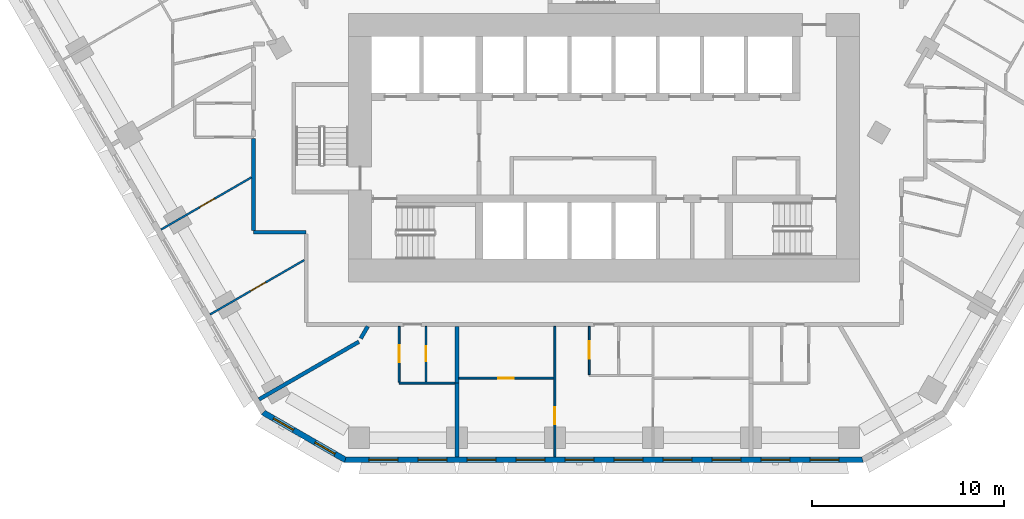
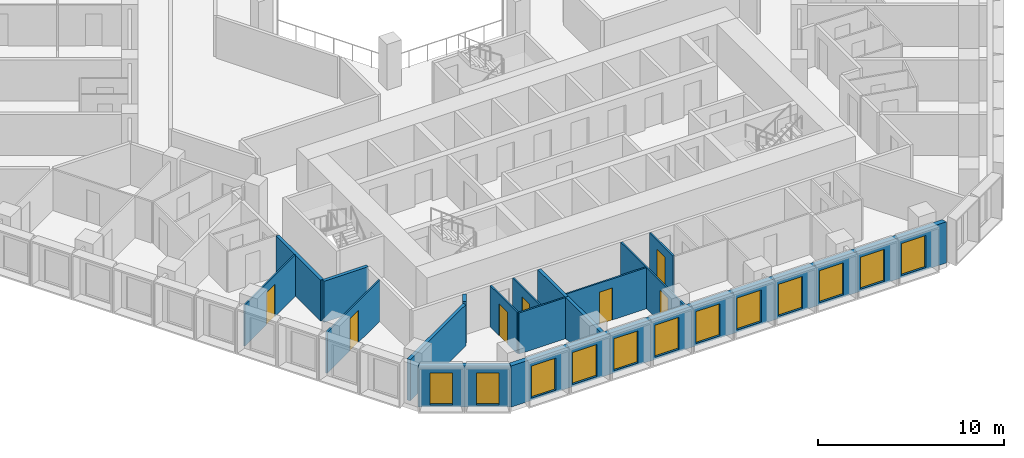
# One storey, part 3 of 21: 16 walls, 12 windows, 7 doors, 19 openings.
"""IFC4 building model written with IfcOpenShell, lengths in metres."""

from ifc_helpers import new_model, si_unit, direction, frame, frame_2d, origin, place, context, subcontext, project, spatial, polyline, rectangle, outline, extrude, material, layer, layer_set, type_object, element, fill, save


model = new_model("IFC4")

# Units and contexts
model_context = context("Model", 3, precision=1e-05, world=origin(), true_north=direction((0.0, 1.0)))
body_context = subcontext(model_context, "Body", "Model", "MODEL_VIEW")
ifc_project = project(units=[si_unit("LENGTHUNIT", "METRE"), si_unit("AREAUNIT", "SQUARE_METRE"), si_unit("VOLUMEUNIT", "CUBIC_METRE"), si_unit("PLANEANGLEUNIT", "RADIAN"), si_unit("MASSUNIT", "GRAM", prefix="KILO")], contexts=[model_context])

# Site, building, storey
site_placement = place(None, origin())
site = spatial("IfcSite", under=ifc_project, at=site_placement, CompositionType="ELEMENT")
building_placement = place(site_placement, origin())
building = spatial("IfcBuilding", under=site, at=building_placement, Name="Beryl Residences", CompositionType="ELEMENT")
storey_placement = place(building_placement, frame((0.0, 0.0, 53.39990234375)))
storey = spatial("IfcBuildingStorey", under=building, at=storey_placement, Name="L16", CompositionType="ELEMENT", Elevation=53.39990234375)

# Wall, openings, windows
ifc_material_1 = material(Name="Composite metal panel with mineral wool insulation")
ifc_layer_1 = layer(ifc_material_1, 0.300048828125)
ifc_layer_set_1 = layer_set([ifc_layer_1], Name="ES1 pale metal composite panel wall 300 mm")
wall_type_1 = type_object("IfcWallType", Name="ES1 pale metal composite panel wall 300 mm", PredefinedType="SOLIDWALL", material=ifc_layer_set_1)
wall_1_placement = place(storey_placement, frame((-17.764892578125, -25.77001953125, 0.0), z_axis=(0.0, 0.0, 1.0), x_axis=(0.866010750942, -0.50002537861, 0.0)))
wall_1 = element("IfcWall", 1, at=wall_1_placement, inside=storey, type_object=wall_type_1, Name="ES1 external wall L16 SW-S", PredefinedType="SOLIDWALL", context=body_context, shape_type="SweptSolid", body=[
    extrude(outline(polyline([(0.0, -0.14990234375), (4.999755859375, -0.14990234375), (4.91943359375, 0.14990234375), (0.080322265625, 0.14990234375), (0.0, -0.14990234375)])), origin(), (0.0, 0.0, 1.0), 2.7001953125),
])
opening_1_placement = place(wall_1_placement, frame((0.64990234375, 0.0, 0.14990234375)))
opening_1 = element("IfcOpeningElement", 2, at=opening_1_placement, cuts=wall_1, Name="Opening W2", PredefinedType="OPENING", context=body_context, shape_type="SweptSolid", body=[
    extrude(rectangle(XDim=1.199951171875, YDim=2.10009765625, at=frame_2d((0.60009765625, 1.050048828125))), frame((0.0, 0.159912109375, 0.0), z_axis=(0.0, -1.0, 0.0), x_axis=(1.0, 0.0, 0.0)), (0.0, 0.0, 1.0), 0.320068359375),
])
opening_2_placement = place(wall_1_placement, frame((3.14990234375, 0.0, 0.14990234375)))
opening_2 = element("IfcOpeningElement", 3, at=opening_2_placement, cuts=wall_1, Name="Opening W2", PredefinedType="OPENING", context=body_context, shape_type="SweptSolid", body=[
    extrude(rectangle(XDim=1.199951171875, YDim=2.10009765625, at=frame_2d((0.60009765625, 1.050048828125))), frame((0.0, 0.159912109375, 0.0), z_axis=(0.0, -1.0, 0.0), x_axis=(1.0, 0.0, 0.0)), (0.0, 0.0, 1.0), 0.320068359375),
])
ifc_material_2 = material(Name="Aluminium and clear glass", Category="aluminium")
window_type_1 = type_object("IfcWindowType", Name="W2 chamfer window 1200 x 2100 mm", PartitioningType="SINGLE_PANEL", PredefinedType="WINDOW", material=ifc_material_2)
window_1_placement = place(opening_1_placement, origin())
window_1 = element("IfcWindow", 4, at=window_1_placement, inside=storey, type_object=window_type_1, Name="W2 window L16 SW-S 1", OverallHeight=2.10009765625, OverallWidth=1.199951171875, PartitioningType="SINGLE_PANEL", PredefinedType="WINDOW", context=body_context, shape_type="SweptSolid", body=[
    extrude(rectangle(XDim=1.199951171875, YDim=2.10009765625, at=frame_2d((0.60009765625, 1.050048828125))), frame((0.0, 0.030029296875, 0.0), z_axis=(0.0, -1.0, 0.0), x_axis=(1.0, 0.0, 0.0)), (0.0, 0.0, 1.0), 0.06005859375),
])
fill(opening_1, window_1)
window_2_placement = place(opening_2_placement, origin())
window_2 = element("IfcWindow", 5, at=window_2_placement, inside=storey, type_object=window_type_1, Name="W2 window L16 SW-S 2", OverallHeight=2.10009765625, OverallWidth=1.199951171875, PartitioningType="SINGLE_PANEL", PredefinedType="WINDOW", context=body_context, shape_type="SweptSolid", body=[
    extrude(rectangle(XDim=1.199951171875, YDim=2.10009765625, at=frame_2d((0.60009765625, 1.050048828125))), frame((0.0, 0.030029296875, 0.0), z_axis=(0.0, -1.0, 0.0), x_axis=(1.0, 0.0, 0.0)), (0.0, 0.0, 1.0), 0.06005859375),
])
fill(opening_2, window_2)

wall_2_placement = place(storey_placement, frame((-13.510009765625, -28.25, 0.0), z_axis=(0.0, 0.0, 1.0), x_axis=(1.0, 0.0, 0.0)))
wall_2 = element("IfcWall", 6, at=wall_2_placement, inside=storey, type_object=wall_type_1, Name="ES1 external wall L16 S", PredefinedType="SOLIDWALL", context=body_context, shape_type="SweptSolid", body=[
    extrude(outline(polyline([(0.0, -0.14990234375), (27.02001953125, -0.14990234375), (26.939697265625, 0.14990234375), (0.080322265625, 0.14990234375), (0.0, -0.14990234375)])), origin(), (0.0, 0.0, 1.0), 2.7001953125),
])
opening_3_placement = place(wall_2_placement, frame((1.277099609375, 0.0, 0.14990234375)))
opening_3 = element("IfcOpeningElement", 7, at=opening_3_placement, cuts=wall_2, Name="Opening W1", PredefinedType="OPENING", context=body_context, shape_type="SweptSolid", body=[
    extrude(rectangle(XDim=1.5, YDim=2.10009765625, at=frame_2d((0.75, 1.050048828125))), frame((0.0, 0.159912109375, 0.0), z_axis=(0.0, -1.0, 0.0), x_axis=(1.0, 0.0, 0.0)), (0.0, 0.0, 1.0), 0.320068359375),
])
opening_4_placement = place(wall_2_placement, frame((3.8291015625, 0.0, 0.14990234375)))
opening_4 = element("IfcOpeningElement", 8, at=opening_4_placement, cuts=wall_2, Name="Opening W1", PredefinedType="OPENING", context=body_context, shape_type="SweptSolid", body=[
    extrude(rectangle(XDim=1.5, YDim=2.10009765625, at=frame_2d((0.75, 1.050048828125))), frame((0.0, 0.159912109375, 0.0), z_axis=(0.0, -1.0, 0.0), x_axis=(1.0, 0.0, 0.0)), (0.0, 0.0, 1.0), 0.320068359375),
])
opening_5_placement = place(wall_2_placement, frame((6.381103515625, 0.0, 0.14990234375)))
opening_5 = element("IfcOpeningElement", 9, at=opening_5_placement, cuts=wall_2, Name="Opening W1", PredefinedType="OPENING", context=body_context, shape_type="SweptSolid", body=[
    extrude(rectangle(XDim=1.5, YDim=2.10009765625, at=frame_2d((0.75, 1.050048828125))), frame((0.0, 0.159912109375, 0.0), z_axis=(0.0, -1.0, 0.0), x_axis=(1.0, 0.0, 0.0)), (0.0, 0.0, 1.0), 0.320068359375),
])
opening_6_placement = place(wall_2_placement, frame((8.93310546875, 0.0, 0.14990234375)))
opening_6 = element("IfcOpeningElement", 10, at=opening_6_placement, cuts=wall_2, Name="Opening W1", PredefinedType="OPENING", context=body_context, shape_type="SweptSolid", body=[
    extrude(rectangle(XDim=1.5, YDim=2.10009765625, at=frame_2d((0.75, 1.050048828125))), frame((0.0, 0.159912109375, 0.0), z_axis=(0.0, -1.0, 0.0), x_axis=(1.0, 0.0, 0.0)), (0.0, 0.0, 1.0), 0.320068359375),
])
opening_7_placement = place(wall_2_placement, frame((11.485107421875, 0.0, 0.14990234375)))
opening_7 = element("IfcOpeningElement", 11, at=opening_7_placement, cuts=wall_2, Name="Opening W1", PredefinedType="OPENING", context=body_context, shape_type="SweptSolid", body=[
    extrude(rectangle(XDim=1.5, YDim=2.10009765625, at=frame_2d((0.75, 1.050048828125))), frame((0.0, 0.159912109375, 0.0), z_axis=(0.0, -1.0, 0.0), x_axis=(1.0, 0.0, 0.0)), (0.0, 0.0, 1.0), 0.320068359375),
])
opening_8_placement = place(wall_2_placement, frame((14.037109375, 0.0, 0.14990234375)))
opening_8 = element("IfcOpeningElement", 12, at=opening_8_placement, cuts=wall_2, Name="Opening W1", PredefinedType="OPENING", context=body_context, shape_type="SweptSolid", body=[
    extrude(rectangle(XDim=1.5, YDim=2.10009765625, at=frame_2d((0.75, 1.050048828125))), frame((0.0, 0.159912109375, 0.0), z_axis=(0.0, -1.0, 0.0), x_axis=(1.0, 0.0, 0.0)), (0.0, 0.0, 1.0), 0.320068359375),
])
opening_9_placement = place(wall_2_placement, frame((16.589111328125, 0.0, 0.14990234375)))
opening_9 = element("IfcOpeningElement", 13, at=opening_9_placement, cuts=wall_2, Name="Opening W1", PredefinedType="OPENING", context=body_context, shape_type="SweptSolid", body=[
    extrude(rectangle(XDim=1.5, YDim=2.10009765625, at=frame_2d((0.75, 1.050048828125))), frame((0.0, 0.159912109375, 0.0), z_axis=(0.0, -1.0, 0.0), x_axis=(1.0, 0.0, 0.0)), (0.0, 0.0, 1.0), 0.320068359375),
])
opening_10_placement = place(wall_2_placement, frame((19.14111328125, 0.0, 0.14990234375)))
opening_10 = element("IfcOpeningElement", 14, at=opening_10_placement, cuts=wall_2, Name="Opening W1", PredefinedType="OPENING", context=body_context, shape_type="SweptSolid", body=[
    extrude(rectangle(XDim=1.5, YDim=2.10009765625, at=frame_2d((0.75, 1.050048828125))), frame((0.0, 0.159912109375, 0.0), z_axis=(0.0, -1.0, 0.0), x_axis=(1.0, 0.0, 0.0)), (0.0, 0.0, 1.0), 0.320068359375),
])
opening_11_placement = place(wall_2_placement, frame((21.693115234375, 0.0, 0.14990234375)))
opening_11 = element("IfcOpeningElement", 15, at=opening_11_placement, cuts=wall_2, Name="Opening W1", PredefinedType="OPENING", context=body_context, shape_type="SweptSolid", body=[
    extrude(rectangle(XDim=1.5, YDim=2.10009765625, at=frame_2d((0.75, 1.050048828125))), frame((0.0, 0.159912109375, 0.0), z_axis=(0.0, -1.0, 0.0), x_axis=(1.0, 0.0, 0.0)), (0.0, 0.0, 1.0), 0.320068359375),
])
opening_12_placement = place(wall_2_placement, frame((24.2451171875, 0.0, 0.14990234375)))
opening_12 = element("IfcOpeningElement", 16, at=opening_12_placement, cuts=wall_2, Name="Opening W1", PredefinedType="OPENING", context=body_context, shape_type="SweptSolid", body=[
    extrude(rectangle(XDim=1.5, YDim=2.10009765625, at=frame_2d((0.75, 1.050048828125))), frame((0.0, 0.159912109375, 0.0), z_axis=(0.0, -1.0, 0.0), x_axis=(1.0, 0.0, 0.0)), (0.0, 0.0, 1.0), 0.320068359375),
])
ifc_material_3 = material(Name="Aluminium and clear glass", Category="aluminium")
window_type_2 = type_object("IfcWindowType", Name="W1 cell window 1500 x 2100 mm", PartitioningType="SINGLE_PANEL", PredefinedType="WINDOW", material=ifc_material_3)
window_3_placement = place(opening_3_placement, origin())
window_3 = element("IfcWindow", 17, at=window_3_placement, inside=storey, type_object=window_type_2, Name="W1 window L16 S 1", OverallHeight=2.10009765625, OverallWidth=1.5, PartitioningType="SINGLE_PANEL", PredefinedType="WINDOW", context=body_context, shape_type="SweptSolid", body=[
    extrude(rectangle(XDim=1.5, YDim=2.10009765625, at=frame_2d((0.75, 1.050048828125))), frame((0.0, 0.030029296875, 0.0), z_axis=(0.0, -1.0, 0.0), x_axis=(1.0, 0.0, 0.0)), (0.0, 0.0, 1.0), 0.06005859375),
])
fill(opening_3, window_3)
window_4_placement = place(opening_4_placement, origin())
window_4 = element("IfcWindow", 18, at=window_4_placement, inside=storey, type_object=window_type_2, Name="W1 window L16 S 2", OverallHeight=2.10009765625, OverallWidth=1.5, PartitioningType="SINGLE_PANEL", PredefinedType="WINDOW", context=body_context, shape_type="SweptSolid", body=[
    extrude(rectangle(XDim=1.5, YDim=2.10009765625, at=frame_2d((0.75, 1.050048828125))), frame((0.0, 0.030029296875, 0.0), z_axis=(0.0, -1.0, 0.0), x_axis=(1.0, 0.0, 0.0)), (0.0, 0.0, 1.0), 0.06005859375),
])
fill(opening_4, window_4)
window_5_placement = place(opening_5_placement, origin())
window_5 = element("IfcWindow", 19, at=window_5_placement, inside=storey, type_object=window_type_2, Name="W1 window L16 S 3", OverallHeight=2.10009765625, OverallWidth=1.5, PartitioningType="SINGLE_PANEL", PredefinedType="WINDOW", context=body_context, shape_type="SweptSolid", body=[
    extrude(rectangle(XDim=1.5, YDim=2.10009765625, at=frame_2d((0.75, 1.050048828125))), frame((0.0, 0.030029296875, 0.0), z_axis=(0.0, -1.0, 0.0), x_axis=(1.0, 0.0, 0.0)), (0.0, 0.0, 1.0), 0.06005859375),
])
fill(opening_5, window_5)
window_6_placement = place(opening_6_placement, origin())
window_6 = element("IfcWindow", 20, at=window_6_placement, inside=storey, type_object=window_type_2, Name="W1 window L16 S 4", OverallHeight=2.10009765625, OverallWidth=1.5, PartitioningType="SINGLE_PANEL", PredefinedType="WINDOW", context=body_context, shape_type="SweptSolid", body=[
    extrude(rectangle(XDim=1.5, YDim=2.10009765625, at=frame_2d((0.75, 1.050048828125))), frame((0.0, 0.030029296875, 0.0), z_axis=(0.0, -1.0, 0.0), x_axis=(1.0, 0.0, 0.0)), (0.0, 0.0, 1.0), 0.06005859375),
])
fill(opening_6, window_6)
window_7_placement = place(opening_7_placement, origin())
window_7 = element("IfcWindow", 21, at=window_7_placement, inside=storey, type_object=window_type_2, Name="W1 window L16 S 5", OverallHeight=2.10009765625, OverallWidth=1.5, PartitioningType="SINGLE_PANEL", PredefinedType="WINDOW", context=body_context, shape_type="SweptSolid", body=[
    extrude(rectangle(XDim=1.5, YDim=2.10009765625, at=frame_2d((0.75, 1.050048828125))), frame((0.0, 0.030029296875, 0.0), z_axis=(0.0, -1.0, 0.0), x_axis=(1.0, 0.0, 0.0)), (0.0, 0.0, 1.0), 0.06005859375),
])
fill(opening_7, window_7)
window_8_placement = place(opening_8_placement, origin())
window_8 = element("IfcWindow", 22, at=window_8_placement, inside=storey, type_object=window_type_2, Name="W1 window L16 S 6", OverallHeight=2.10009765625, OverallWidth=1.5, PartitioningType="SINGLE_PANEL", PredefinedType="WINDOW", context=body_context, shape_type="SweptSolid", body=[
    extrude(rectangle(XDim=1.5, YDim=2.10009765625, at=frame_2d((0.75, 1.050048828125))), frame((0.0, 0.030029296875, 0.0), z_axis=(0.0, -1.0, 0.0), x_axis=(1.0, 0.0, 0.0)), (0.0, 0.0, 1.0), 0.06005859375),
])
fill(opening_8, window_8)
window_9_placement = place(opening_9_placement, origin())
window_9 = element("IfcWindow", 23, at=window_9_placement, inside=storey, type_object=window_type_2, Name="W1 window L16 S 7", OverallHeight=2.10009765625, OverallWidth=1.5, PartitioningType="SINGLE_PANEL", PredefinedType="WINDOW", context=body_context, shape_type="SweptSolid", body=[
    extrude(rectangle(XDim=1.5, YDim=2.10009765625, at=frame_2d((0.75, 1.050048828125))), frame((0.0, 0.030029296875, 0.0), z_axis=(0.0, -1.0, 0.0), x_axis=(1.0, 0.0, 0.0)), (0.0, 0.0, 1.0), 0.06005859375),
])
fill(opening_9, window_9)
window_10_placement = place(opening_10_placement, origin())
window_10 = element("IfcWindow", 24, at=window_10_placement, inside=storey, type_object=window_type_2, Name="W1 window L16 S 8", OverallHeight=2.10009765625, OverallWidth=1.5, PartitioningType="SINGLE_PANEL", PredefinedType="WINDOW", context=body_context, shape_type="SweptSolid", body=[
    extrude(rectangle(XDim=1.5, YDim=2.10009765625, at=frame_2d((0.75, 1.050048828125))), frame((0.0, 0.030029296875, 0.0), z_axis=(0.0, -1.0, 0.0), x_axis=(1.0, 0.0, 0.0)), (0.0, 0.0, 1.0), 0.06005859375),
])
fill(opening_10, window_10)
window_11_placement = place(opening_11_placement, origin())
window_11 = element("IfcWindow", 25, at=window_11_placement, inside=storey, type_object=window_type_2, Name="W1 window L16 S 9", OverallHeight=2.10009765625, OverallWidth=1.5, PartitioningType="SINGLE_PANEL", PredefinedType="WINDOW", context=body_context, shape_type="SweptSolid", body=[
    extrude(rectangle(XDim=1.5, YDim=2.10009765625, at=frame_2d((0.75, 1.050048828125))), frame((0.0, 0.030029296875, 0.0), z_axis=(0.0, -1.0, 0.0), x_axis=(1.0, 0.0, 0.0)), (0.0, 0.0, 1.0), 0.06005859375),
])
fill(opening_11, window_11)
window_12_placement = place(opening_12_placement, origin())
window_12 = element("IfcWindow", 26, at=window_12_placement, inside=storey, type_object=window_type_2, Name="W1 window L16 S 10", OverallHeight=2.10009765625, OverallWidth=1.5, PartitioningType="SINGLE_PANEL", PredefinedType="WINDOW", context=body_context, shape_type="SweptSolid", body=[
    extrude(rectangle(XDim=1.5, YDim=2.10009765625, at=frame_2d((0.75, 1.050048828125))), frame((0.0, 0.030029296875, 0.0), z_axis=(0.0, -1.0, 0.0), x_axis=(1.0, 0.0, 0.0)), (0.0, 0.0, 1.0), 0.06005859375),
])
fill(opening_12, window_12)

# Wall, opening, door
ifc_material_4 = material(Name="Gypsum board partition on steel studs", Category="steel")
ifc_layer_2 = layer(ifc_material_4, 0.10009765625)
ifc_layer_set_2 = layer_set([ifc_layer_2], Name="PT1 partition 100 mm gypsum board on steel studs")
wall_type_2 = type_object("IfcWallType", Name="PT1 partition 100 mm gypsum board on steel studs", PredefinedType="PARTITIONING", material=ifc_layer_set_2)
wall_3_placement = place(storey_placement, frame((-0.764892578125, -21.300048828125, 0.0), z_axis=(0.0, 0.0, 1.0), x_axis=(0.0, -1.0, 0.0)))
wall_3 = element("IfcWall", 27, at=wall_3_placement, inside=storey, type_object=wall_type_2, Name="Wall PT1 L16 010", PredefinedType="PARTITIONING", context=body_context, shape_type="SweptSolid", body=[
    extrude(rectangle(XDim=2.509033203125, YDim=0.10009765625, at=frame_2d((1.25439453125, 0.0))), origin(), (0.0, 0.0, 1.0), 2.7001953125),
])
opening_13_placement = place(wall_3_placement, frame((0.780029296875, 0.0, 0.0)))
opening_13 = element("IfcOpeningElement", 28, at=opening_13_placement, cuts=wall_3, Name="Opening D0227", PredefinedType="OPENING", context=body_context, shape_type="SweptSolid", body=[
    extrude(rectangle(XDim=0.89990234375, YDim=2.10009765625, at=frame_2d((0.449951171875, 1.050048828125))), frame((0.0, 0.06005859375, 0.0), z_axis=(0.0, -1.0, 0.0), x_axis=(1.0, 0.0, 0.0)), (0.0, 0.0, 1.0), 0.1201171875),
])
ifc_material_5 = material(Name="Timber door leaf", Category="wood")
door_type_1 = type_object("IfcDoorType", Name="D2 room door 900 x 2100 mm", OperationType="SINGLE_SWING_LEFT", PredefinedType="DOOR", material=ifc_material_5)
door_1_placement = place(opening_13_placement, origin())
door_1 = element("IfcDoor", 29, at=door_1_placement, inside=storey, type_object=door_type_1, Name="Door D0227 L16 001", OperationType="SINGLE_SWING_LEFT", OverallHeight=2.10009765625, OverallWidth=0.89990234375, PredefinedType="DOOR", context=body_context, shape_type="SweptSolid", body=[
    extrude(rectangle(XDim=0.89990234375, YDim=2.10009765625, at=frame_2d((0.449951171875, 1.050048828125))), frame((0.0, 0.02490234375, 0.0), z_axis=(0.0, -1.0, 0.0), x_axis=(1.0, 0.0, 0.0)), (0.0, 0.0, 1.0), 0.050048828125),
])
fill(opening_13, door_1)

wall_4_placement = place(storey_placement, frame((-10.6650390625, -21.300048828125, 0.0), z_axis=(0.0, 0.0, 1.0), x_axis=(0.0, -1.0, 0.0)))
wall_4 = element("IfcWall", 30, at=wall_4_placement, inside=storey, type_object=wall_type_2, Name="Wall PT1 L16 011", PredefinedType="PARTITIONING", context=body_context, shape_type="SweptSolid", body=[
    extrude(rectangle(XDim=2.908935546875, YDim=0.10009765625, at=frame_2d((1.45458984375, 0.0))), origin(), (0.0, 0.0, 1.0), 2.7001953125),
])
opening_14_placement = place(wall_4_placement, frame((0.97998046875, 0.0, 0.0)))
opening_14 = element("IfcOpeningElement", 31, at=opening_14_placement, cuts=wall_4, Name="Opening D0224", PredefinedType="OPENING", context=body_context, shape_type="SweptSolid", body=[
    extrude(rectangle(XDim=0.89990234375, YDim=2.10009765625, at=frame_2d((0.449951171875, 1.050048828125))), frame((0.0, 0.06005859375, 0.0), z_axis=(0.0, -1.0, 0.0), x_axis=(1.0, 0.0, 0.0)), (0.0, 0.0, 1.0), 0.1201171875),
])
door_2_placement = place(opening_14_placement, origin())
door_2 = element("IfcDoor", 32, at=door_2_placement, inside=storey, type_object=door_type_1, Name="Door D0224 L16 001", OperationType="SINGLE_SWING_RIGHT", OverallHeight=2.10009765625, OverallWidth=0.89990234375, PredefinedType="DOOR", context=body_context, shape_type="SweptSolid", body=[
    extrude(rectangle(XDim=0.89990234375, YDim=2.10009765625, at=frame_2d((0.449951171875, 1.050048828125))), frame((0.0, 0.02490234375, 0.0), z_axis=(0.0, -1.0, 0.0), x_axis=(1.0, 0.0, 0.0)), (0.0, 0.0, 1.0), 0.050048828125),
])
fill(opening_14, door_2)

wall_5_placement = place(storey_placement, frame((-7.554931640625, -24.0, 0.0), z_axis=(0.0, 0.0, 1.0), x_axis=(1.0, 0.0, 0.0)))
wall_5 = element("IfcWall", 33, at=wall_5_placement, inside=storey, type_object=wall_type_2, Name="Wall PT1 L16 031", PredefinedType="PARTITIONING", context=body_context, shape_type="SweptSolid", body=[
    extrude(rectangle(XDim=4.953857421875, YDim=0.10009765625, at=frame_2d((2.47705078125, 0.0))), origin(), (0.0, 0.0, 1.0), 2.7001953125),
])
opening_15_placement = place(wall_5_placement, frame((2.052001953125, 0.0, 0.0)))
opening_15 = element("IfcOpeningElement", 34, at=opening_15_placement, cuts=wall_5, Name="Opening D0231", PredefinedType="OPENING", context=body_context, shape_type="SweptSolid", body=[
    extrude(rectangle(XDim=0.800048828125, YDim=2.10009765625, at=frame_2d((0.39990234375, 1.050048828125))), frame((0.0, 0.06005859375, 0.0), z_axis=(0.0, -1.0, 0.0), x_axis=(1.0, 0.0, 0.0)), (0.0, 0.0, 1.0), 0.1201171875),
])
ifc_material_6 = material(Name="Timber door leaf", Category="wood")
door_type_2 = type_object("IfcDoorType", Name="D3 bathroom door 800 x 2100 mm", OperationType="SINGLE_SWING_LEFT", PredefinedType="DOOR", material=ifc_material_6)
door_3_placement = place(opening_15_placement, origin())
door_3 = element("IfcDoor", 35, at=door_3_placement, inside=storey, type_object=door_type_2, Name="Door D0231 L16 001", OperationType="SINGLE_SWING_LEFT", OverallHeight=2.10009765625, OverallWidth=0.800048828125, PredefinedType="DOOR", context=body_context, shape_type="SweptSolid", body=[
    extrude(rectangle(XDim=0.800048828125, YDim=2.10009765625, at=frame_2d((0.39990234375, 1.050048828125))), frame((0.0, 0.02490234375, 0.0), z_axis=(0.0, -1.0, 0.0), x_axis=(1.0, 0.0, 0.0)), (0.0, 0.0, 1.0), 0.050048828125),
])
fill(opening_15, door_3)

# Wall
wall_6_placement = place(storey_placement, frame((-10.6640625, -24.260009765625, 0.0), z_axis=(0.0, 0.0, 1.0), x_axis=(1.0, 0.0, 0.0)))
element("IfcWall", 36, at=wall_6_placement, inside=storey, type_object=wall_type_2, Name="Wall PT1 L16 033", PredefinedType="PARTITIONING", context=body_context, shape_type="SweptSolid", body=[
    extrude(rectangle(XDim=2.9091796875, YDim=0.10009765625, at=frame_2d((1.45458984375, 0.0))), origin(), (0.0, 0.0, 1.0), 2.7001953125),
])

# Wall, opening, door
wall_7_placement = place(storey_placement, frame((-9.264892578125, -24.2099609375, 0.0), z_axis=(0.0, 0.0, 1.0), x_axis=(0.0, 1.0, 0.0)))
wall_7 = element("IfcWall", 37, at=wall_7_placement, inside=storey, type_object=wall_type_2, Name="Wall PT1 L16 058", PredefinedType="PARTITIONING", context=body_context, shape_type="SweptSolid", body=[
    extrude(rectangle(XDim=2.909912109375, YDim=0.10009765625, at=frame_2d((1.455078125, 0.0))), origin(), (0.0, 0.0, 1.0), 2.7001953125),
])
opening_16_placement = place(wall_7_placement, frame((1.080078125, 0.0, 0.0)))
opening_16 = element("IfcOpeningElement", 38, at=opening_16_placement, cuts=wall_7, Name="Opening D0225", PredefinedType="OPENING", context=body_context, shape_type="SweptSolid", body=[
    extrude(rectangle(XDim=0.800048828125, YDim=2.10009765625, at=frame_2d((0.39990234375, 1.050048828125))), frame((0.0, 0.06005859375, 0.0), z_axis=(0.0, -1.0, 0.0), x_axis=(1.0, 0.0, 0.0)), (0.0, 0.0, 1.0), 0.1201171875),
])
door_4_placement = place(opening_16_placement, origin())
door_4 = element("IfcDoor", 39, at=door_4_placement, inside=storey, type_object=door_type_2, Name="Door D0225 L16 001", OperationType="SINGLE_SWING_LEFT", OverallHeight=2.10009765625, OverallWidth=0.800048828125, PredefinedType="DOOR", context=body_context, shape_type="SweptSolid", body=[
    extrude(rectangle(XDim=0.800048828125, YDim=2.10009765625, at=frame_2d((0.39990234375, 1.050048828125))), frame((0.0, 0.02490234375, 0.0), z_axis=(0.0, -1.0, 0.0), x_axis=(1.0, 0.0, 0.0)), (0.0, 0.0, 1.0), 0.050048828125),
])
fill(opening_16, door_4)

wall_8_placement = place(storey_placement, frame((-2.551025390625, -28.10009765625, 0.0), z_axis=(0.0, 0.0, 1.0), x_axis=(0.0, 1.0, 0.0)))
wall_8 = element("IfcWall", 40, at=wall_8_placement, inside=storey, type_object=wall_type_2, Name="Wall PT1 L16 061", PredefinedType="PARTITIONING", context=body_context, shape_type="SweptSolid", body=[
    extrude(rectangle(XDim=6.800048828125, YDim=0.10009765625, at=frame_2d((3.39990234375, 0.0))), origin(), (0.0, 0.0, 1.0), 2.7001953125),
])
opening_17_placement = place(wall_8_placement, frame((1.699951171875, 0.0, 0.0)))
opening_17 = element("IfcOpeningElement", 41, at=opening_17_placement, cuts=wall_8, Name="Opening D0230", PredefinedType="OPENING", context=body_context, shape_type="SweptSolid", body=[
    extrude(rectangle(XDim=0.89990234375, YDim=2.10009765625, at=frame_2d((0.449951171875, 1.050048828125))), frame((0.0, 0.06005859375, 0.0), z_axis=(0.0, -1.0, 0.0), x_axis=(1.0, 0.0, 0.0)), (0.0, 0.0, 1.0), 0.1201171875),
])
door_5_placement = place(opening_17_placement, origin())
door_5 = element("IfcDoor", 42, at=door_5_placement, inside=storey, type_object=door_type_1, Name="Door D0230 L16 001", OperationType="SINGLE_SWING_RIGHT", OverallHeight=2.10009765625, OverallWidth=0.89990234375, PredefinedType="DOOR", context=body_context, shape_type="SweptSolid", body=[
    extrude(rectangle(XDim=0.89990234375, YDim=2.10009765625, at=frame_2d((0.449951171875, 1.050048828125))), frame((0.0, 0.02490234375, 0.0), z_axis=(0.0, -1.0, 0.0), x_axis=(1.0, 0.0, 0.0)), (0.0, 0.0, 1.0), 0.050048828125),
])
fill(opening_17, door_5)

wall_9_placement = place(storey_placement, frame((-20.507080078125, -20.680908203125, 0.0), z_axis=(0.0, 0.0, 1.0), x_axis=(0.866028446103, 0.499994730513, 0.0)))
wall_9 = element("IfcWall", 43, at=wall_9_placement, inside=storey, type_object=wall_type_2, Name="Wall PT1 L16 064", PredefinedType="PARTITIONING", context=body_context, shape_type="SweptSolid", body=[
    extrude(rectangle(XDim=5.666015625, YDim=0.10009765625, at=frame_2d((2.8330078125, 0.0))), origin(), (0.0, 0.0, 1.0), 2.7001953125),
])
opening_18_placement = place(wall_9_placement, frame((2.43994140625, 0.0, 0.0)))
opening_18 = element("IfcOpeningElement", 44, at=opening_18_placement, cuts=wall_9, Name="Opening D0222", PredefinedType="OPENING", context=body_context, shape_type="SweptSolid", body=[
    extrude(rectangle(XDim=0.89990234375, YDim=2.10009765625, at=frame_2d((0.449951171875, 1.050048828125))), frame((0.0, 0.06005859375, 0.0), z_axis=(0.0, -1.0, 0.0), x_axis=(1.0, 0.0, 0.0)), (0.0, 0.0, 1.0), 0.1201171875),
])
door_6_placement = place(opening_18_placement, origin())
door_6 = element("IfcDoor", 45, at=door_6_placement, inside=storey, type_object=door_type_1, Name="Door D0222 L16 001", OperationType="SINGLE_SWING_RIGHT", OverallHeight=2.10009765625, OverallWidth=0.89990234375, PredefinedType="DOOR", context=body_context, shape_type="SweptSolid", body=[
    extrude(rectangle(XDim=0.89990234375, YDim=2.10009765625, at=frame_2d((0.449951171875, 1.050048828125))), frame((0.0, 0.02490234375, 0.0), z_axis=(0.0, -1.0, 0.0), x_axis=(1.0, 0.0, 0.0)), (0.0, 0.0, 1.0), 0.050048828125),
])
fill(opening_18, door_6)

wall_10_placement = place(storey_placement, frame((-23.05908203125, -16.260986328125, 0.0), z_axis=(0.0, 0.0, 1.0), x_axis=(0.866004639177, 0.500035963631, 0.0)))
wall_10 = element("IfcWall", 46, at=wall_10_placement, inside=storey, type_object=wall_type_2, Name="Wall PT1 L16 066", PredefinedType="PARTITIONING", context=body_context, shape_type="SweptSolid", body=[
    extrude(rectangle(XDim=5.4375, YDim=0.10009765625, at=frame_2d((2.71875, 0.0))), origin(), (0.0, 0.0, 1.0), 2.7001953125),
])
opening_19_placement = place(wall_10_placement, frame((2.325927734375, 0.0, 0.0)))
opening_19 = element("IfcOpeningElement", 47, at=opening_19_placement, cuts=wall_10, Name="Opening D0221", PredefinedType="OPENING", context=body_context, shape_type="SweptSolid", body=[
    extrude(rectangle(XDim=0.89990234375, YDim=2.10009765625, at=frame_2d((0.449951171875, 1.050048828125))), frame((0.0, 0.06005859375, 0.0), z_axis=(0.0, -1.0, 0.0), x_axis=(1.0, 0.0, 0.0)), (0.0, 0.0, 1.0), 0.1201171875),
])
door_7_placement = place(opening_19_placement, origin())
door_7 = element("IfcDoor", 48, at=door_7_placement, inside=storey, type_object=door_type_1, Name="Door D0221 L16 001", OperationType="SINGLE_SWING_LEFT", OverallHeight=2.10009765625, OverallWidth=0.89990234375, PredefinedType="DOOR", context=body_context, shape_type="SweptSolid", body=[
    extrude(rectangle(XDim=0.89990234375, YDim=2.10009765625, at=frame_2d((0.449951171875, 1.050048828125))), frame((0.0, 0.02490234375, 0.0), z_axis=(0.0, -1.0, 0.0), x_axis=(1.0, 0.0, 0.0)), (0.0, 0.0, 1.0), 0.050048828125),
])
fill(opening_19, door_7)

# Walls
ifc_material_7 = material(Name="Acoustic double stud gypsum board wall")
ifc_layer_3 = layer(ifc_material_7, 0.199951171875)
ifc_layer_set_3 = layer_set([ifc_layer_3], Name="PT3 party wall 200 mm acoustic double stud")
wall_type_3 = type_object("IfcWallType", Name="PT3 party wall 200 mm acoustic double stud", PredefinedType="PARTITIONING", material=ifc_layer_set_3)
wall_11_placement = place(storey_placement, frame((-7.655029296875, -24.260009765625, 0.0), z_axis=(0.0, 0.0, 1.0), x_axis=(0.0, -1.0, 0.0)))
element("IfcWall", 49, at=wall_11_placement, inside=storey, type_object=wall_type_3, Name="Wall PT3 L16 003", PredefinedType="PARTITIONING", context=body_context, shape_type="SweptSolid", body=[
    extrude(rectangle(XDim=3.840087890625, YDim=0.199951171875, at=frame_2d((1.919921875, 0.0))), origin(), (0.0, 0.0, 1.0), 2.7001953125),
])
wall_12_placement = place(storey_placement, frame((-12.660888671875, -21.928955078125, 0.0), z_axis=(0.0, 0.0, 1.0), x_axis=(0.499683639304, 0.866207977689, 0.0)))
element("IfcWall", 50, at=wall_12_placement, inside=storey, type_object=wall_type_3, Name="Wall PT3 L16 016", PredefinedType="PARTITIONING", context=body_context, shape_type="SweptSolid", body=[
    extrude(rectangle(XDim=0.72607421875, YDim=0.199951171875, at=frame_2d((0.363037109375, 0.0))), origin(), (0.0, 0.0, 1.0), 2.7001953125),
])
wall_13_placement = place(storey_placement, frame((-7.655029296875, -24.260009765625, 0.0), z_axis=(0.0, 0.0, 1.0), x_axis=(0.0, 1.0, 0.0)))
element("IfcWall", 51, at=wall_13_placement, inside=storey, type_object=wall_type_3, Name="Wall PT3 L16 020", PredefinedType="PARTITIONING", context=body_context, shape_type="SweptSolid", body=[
    extrude(rectangle(XDim=2.9599609375, YDim=0.199951171875, at=frame_2d((1.47998046875, 0.0))), origin(), (0.0, 0.0, 1.0), 2.7001953125),
])
wall_14_placement = place(storey_placement, frame((-17.955078125, -25.10107421875, 0.0), z_axis=(0.0, 0.0, 1.0), x_axis=(0.866080519133, 0.499904525262, 0.0)))
element("IfcWall", 52, at=wall_14_placement, inside=storey, type_object=wall_type_3, Name="Wall PT3 L16 024", PredefinedType="PARTITIONING", context=body_context, shape_type="SweptSolid", body=[
    extrude(rectangle(XDim=5.997314453125, YDim=0.199951171875, at=frame_2d((2.99853515625, 0.0))), origin(), (0.0, 0.0, 1.0), 2.7001953125),
])
ifc_material_8 = material(Name="Double stud gypsum board wall")
ifc_layer_4 = layer(ifc_material_8, 0.199951171875)
ifc_layer_set_4 = layer_set([ifc_layer_4], Name="PT4 corridor wall 200 mm double stud")
wall_type_4 = type_object("IfcWallType", Name="PT4 corridor wall 200 mm double stud", PredefinedType="PARTITIONING", material=ifc_layer_set_4)
wall_15_placement = place(storey_placement, frame((-18.25, -11.507080078125, 0.0), z_axis=(0.0, 0.0, 1.0), x_axis=(0.0, -1.0, 0.0)))
element("IfcWall", 53, at=wall_15_placement, inside=storey, type_object=wall_type_4, Name="Wall PT4 L16 008", PredefinedType="PARTITIONING", context=body_context, shape_type="SweptSolid", body=[
    extrude(rectangle(XDim=4.7919921875, YDim=0.199951171875, at=frame_2d((2.39599609375, 0.0))), origin(), (0.0, 0.0, 1.0), 2.7001953125),
])
wall_16_placement = place(storey_placement, frame((-18.2490234375, -16.39990234375, 0.0), z_axis=(0.0, 0.0, 1.0), x_axis=(1.0, 0.0, 0.0)))
element("IfcWall", 54, at=wall_16_placement, inside=storey, type_object=wall_type_4, Name="Wall PT4 L16 013", PredefinedType="PARTITIONING", context=body_context, shape_type="SweptSolid", body=[
    extrude(rectangle(XDim=2.7490234375, YDim=0.199951171875, at=frame_2d((1.37451171875, 0.0))), origin(), (0.0, 0.0, 1.0), 2.7001953125),
])

save(model, "model.ifc")
